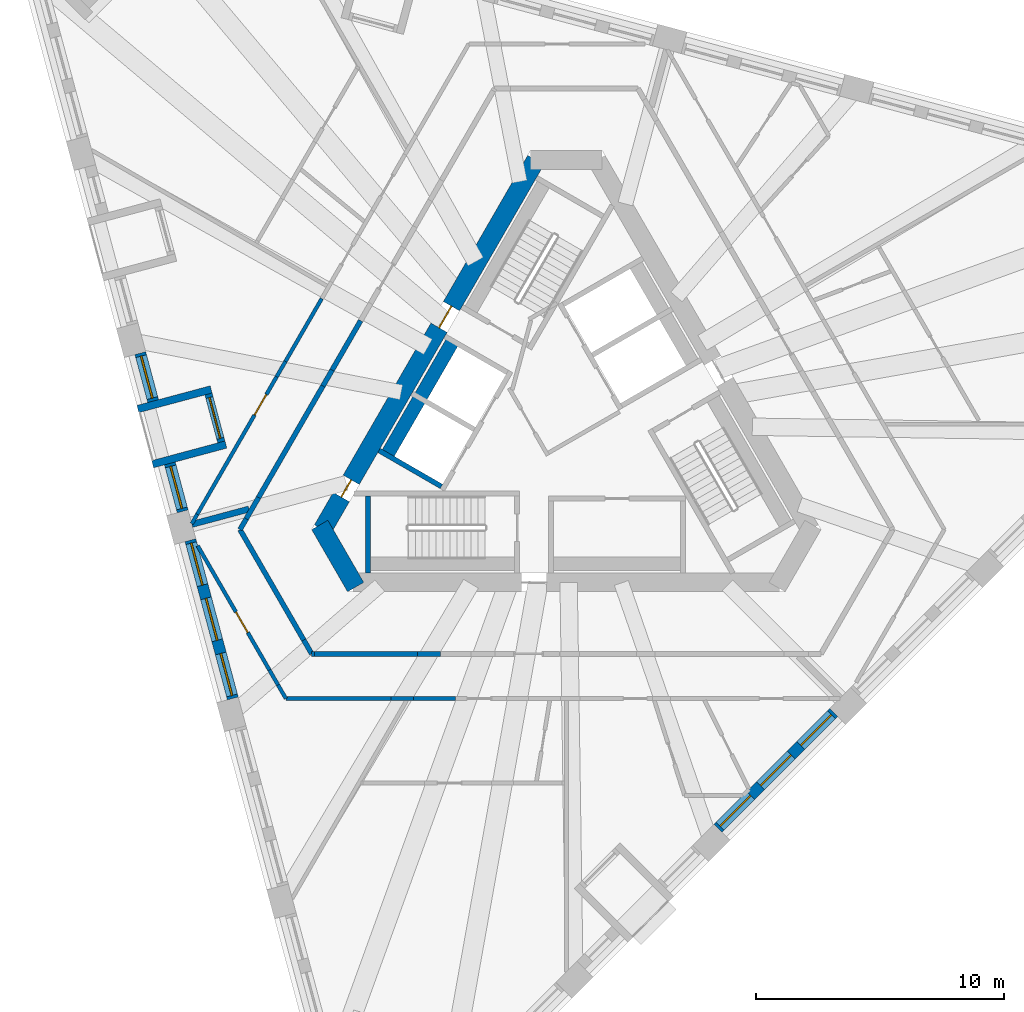
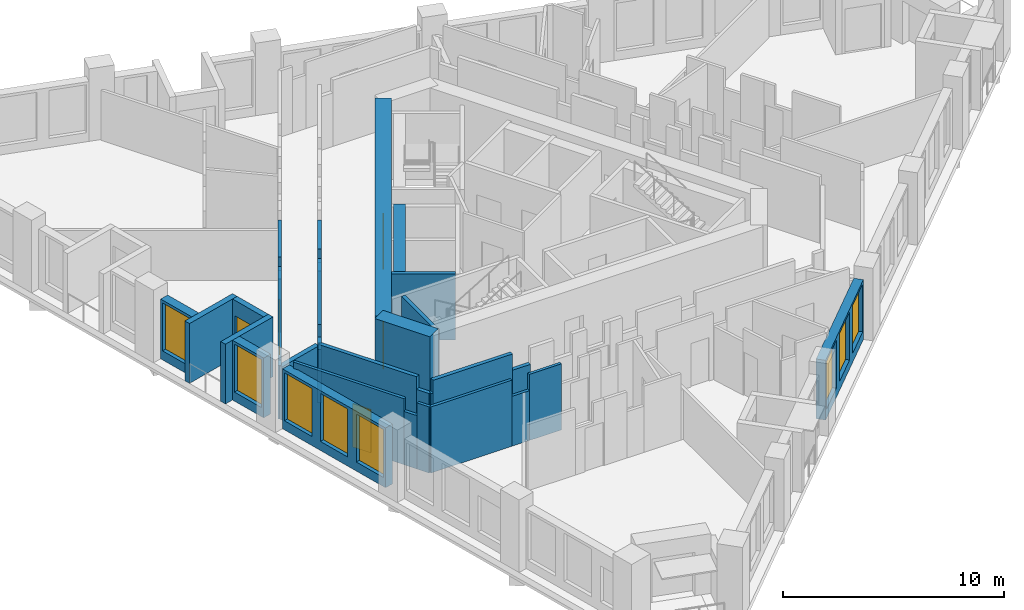
# One storey, part 3 of 13: 33 walls, 8 windows, 5 doors, 13 openings.
"""IFC4 building model written with IfcOpenShell, lengths in metres."""

from ifc_helpers import new_model, si_unit, direction, frame, frame_2d, origin, place, context, subcontext, project, spatial, rectangle, extrude, material, layer, layer_set, type_object, element, fill, save


model = new_model("IFC4")

# Units and contexts
model_context = context("Model", 3, precision=1e-05, world=origin(), true_north=direction((0.0, 1.0)))
body_context = subcontext(model_context, "Body", "Model", "MODEL_VIEW")
ifc_project = project(units=[si_unit("LENGTHUNIT", "METRE"), si_unit("AREAUNIT", "SQUARE_METRE"), si_unit("VOLUMEUNIT", "CUBIC_METRE"), si_unit("PLANEANGLEUNIT", "RADIAN"), si_unit("MASSUNIT", "GRAM", prefix="KILO")], contexts=[model_context])

# Site, building, storey
site_placement = place(None, origin())
site = spatial("IfcSite", under=ifc_project, at=site_placement, CompositionType="ELEMENT")
building_placement = place(site_placement, origin())
building = spatial("IfcBuilding", under=site, at=building_placement, Name="Tramontana Tower", CompositionType="ELEMENT")
storey_placement = place(building_placement, frame((0.0, 0.0, 204.0)))
storey = spatial("IfcBuildingStorey", under=building, at=storey_placement, Name="L47", CompositionType="ELEMENT", Elevation=204.0)

# Wall, openings, doors
ifc_material_1 = material(Name="Concrete 70 MPa", Category="concrete")
ifc_layer_1 = layer(ifc_material_1, 0.75)
ifc_layer_set_1 = layer_set([ifc_layer_1], Name="Core wall 750 70 MPa")
wall_type_1 = type_object("IfcWallType", Name="Core wall 750 70 MPa", PredefinedType="SHEAR", material=ifc_layer_set_1)
wall_1_placement = place(storey_placement, frame((-1.226806640625, 10.625, 0.0), z_axis=(0.0, 0.0, 1.0), x_axis=(-0.500002161919, -0.866024155596, 0.0)))
wall_1 = element("IfcWall", 1, at=wall_1_placement, inside=storey, type_object=wall_type_1, Name="Core wall C1 L47", PredefinedType="SHEAR", context=body_context, shape_type="SweptSolid", body=[
    extrude(rectangle(XDim=17.17626953125, YDim=0.75, at=frame_2d((8.588134765625, 0.0))), origin(), (0.0, 0.0, 1.0), 4.0),
])
opening_1_placement = place(wall_1_placement, frame((6.79296875, 0.0, 0.0)))
opening_1 = element("IfcOpeningElement", 2, at=opening_1_placement, cuts=wall_1, Name="Opening RG1", PredefinedType="OPENING", context=body_context, shape_type="SweptSolid", body=[
    extrude(rectangle(XDim=1.0, YDim=2.39990234375, at=frame_2d((0.5, 1.199951171875))), frame((0.0, 0.385009765625, 0.0), z_axis=(0.0, -1.0, 0.0), x_axis=(1.0, 0.0, 0.0)), (0.0, 0.0, 1.0), 0.77001953125),
])
opening_2_placement = place(wall_1_placement, frame((14.863525390625, 0.0, 0.0)))
opening_2 = element("IfcOpeningElement", 3, at=opening_2_placement, cuts=wall_1, Name="Opening PD1", PredefinedType="OPENING", context=body_context, shape_type="SweptSolid", body=[
    extrude(rectangle(XDim=0.800048828125, YDim=2.10009765625, at=frame_2d((0.39990234375, 1.050048828125))), frame((0.0, 0.385009765625, 0.0), z_axis=(0.0, -1.0, 0.0), x_axis=(1.0, 0.0, 0.0)), (0.0, 0.0, 1.0), 0.77001953125),
])
ifc_material_2 = material(Name="Painted steel", Category="steel")
door_type_1 = type_object("IfcDoorType", Name="CUPBOARD DOOR 800", OperationType="SINGLE_SWING_LEFT", PredefinedType="DOOR", material=ifc_material_2)
door_1_placement = place(opening_2_placement, origin())
door_1 = element("IfcDoor", 4, at=door_1_placement, inside=storey, type_object=door_type_1, Name="Door PD1", OperationType="SINGLE_SWING_RIGHT", OverallHeight=2.10009765625, OverallWidth=0.800048828125, PredefinedType="DOOR", context=body_context, shape_type="SweptSolid", body=[
    extrude(rectangle(XDim=0.800048828125, YDim=2.10009765625, at=frame_2d((0.39990234375, 1.050048828125))), frame((0.0, 0.02490234375, 0.0), z_axis=(0.0, -1.0, 0.0), x_axis=(1.0, 0.0, 0.0)), (0.0, 0.0, 1.0), 0.050048828125),
])
fill(opening_2, door_1)
ifc_material_3 = material(Name="Painted steel", Category="steel")
door_type_2 = type_object("IfcDoorType", Name="RING DOOR 1000", OperationType="SINGLE_SWING_LEFT", PredefinedType="DOOR", material=ifc_material_3)
door_2_placement = place(opening_1_placement, origin())
door_2 = element("IfcDoor", 5, at=door_2_placement, inside=storey, type_object=door_type_2, Name="Door RG1", OperationType="SINGLE_SWING_LEFT", OverallHeight=2.39990234375, OverallWidth=1.0, PredefinedType="DOOR", context=body_context, shape_type="SweptSolid", body=[
    extrude(rectangle(XDim=1.0, YDim=2.39990234375, at=frame_2d((0.5, 1.199951171875))), frame((0.0, 0.02490234375, 0.0), z_axis=(0.0, -1.0, 0.0), x_axis=(1.0, 0.0, 0.0)), (0.0, 0.0, 1.0), 0.050048828125),
])
fill(opening_1, door_2)

# Walls
wall_2_placement = place(storey_placement, frame((-9.923095703125, -4.0625, 0.0), z_axis=(0.0, 0.0, 1.0), x_axis=(0.499995765644, -0.866027848477, 0.0)))
element("IfcWall", 6, at=wall_2_placement, inside=storey, type_object=wall_type_1, Name="Core wall C2 L47", PredefinedType="SHEAR", context=body_context, shape_type="SweptSolid", body=[
    extrude(rectangle(XDim=2.88671875, YDim=0.75, at=frame_2d((1.443359375, 0.0))), origin(), (0.0, 0.0, 1.0), 4.0),
])
ifc_material_4 = material(Name="Blockwork", Category="masonry")
ifc_layer_2 = layer(ifc_material_4, 0.199951171875)
ifc_layer_set_2 = layer_set([ifc_layer_2], Name="ENTRY WALL 200")
wall_type_2 = type_object("IfcWallType", Name="ENTRY WALL 200", PredefinedType="SOLIDWALL", material=ifc_layer_set_2)
wall_3_placement = place(storey_placement, frame((-5.05615234375, -9.25, 0.0), z_axis=(0.0, 0.0, 1.0), x_axis=(-1.0, 0.0, 0.0)))
element("IfcWall", 7, at=wall_3_placement, inside=storey, type_object=wall_type_2, Name="Wall v50-ew2-11", PredefinedType="SOLIDWALL", context=body_context, shape_type="SweptSolid", body=[
    extrude(rectangle(XDim=0.931640625, YDim=0.199951171875, at=frame_2d((0.4658203125, 0.0))), origin(), (0.0, 0.0, 1.0), 2.75),
])
wall_4_placement = place(storey_placement, frame((-5.98779296875, -9.25, 0.0), z_axis=(0.0, 0.0, 1.0), x_axis=(-1.0, 0.0, 0.0)))
element("IfcWall", 8, at=wall_4_placement, inside=storey, type_object=wall_type_2, Name="Wall v50-ew2-12", PredefinedType="SOLIDWALL", context=body_context, shape_type="SweptSolid", body=[
    extrude(rectangle(XDim=4.1552734375, YDim=0.199951171875, at=frame_2d((2.07763671875, 0.0))), origin(), (0.0, 0.0, 1.0), 3.64990234375),
])
wall_5_placement = place(storey_placement, frame((-10.14306640625, -9.25, 0.0), z_axis=(0.0, 0.0, 1.0), x_axis=(-1.0, 0.0, 0.0)))
element("IfcWall", 9, at=wall_5_placement, inside=storey, type_object=wall_type_2, Name="Wall v50-ew2-13", PredefinedType="SOLIDWALL", context=body_context, shape_type="SweptSolid", body=[
    extrude(rectangle(XDim=0.10498046875, YDim=0.199951171875, at=frame_2d((0.052490234375, 0.0))), origin(), (0.0, 0.0, 1.0), 2.949951171875),
])
wall_6_placement = place(storey_placement, frame((-10.248046875, -9.25, 0.0), z_axis=(0.0, 0.0, 1.0), x_axis=(-0.499733411443, 0.86617926406, 0.0)))
element("IfcWall", 10, at=wall_6_placement, inside=storey, type_object=wall_type_2, Name="Wall v50-ew3-0", PredefinedType="SOLIDWALL", context=body_context, shape_type="SweptSolid", body=[
    extrude(rectangle(XDim=0.642822265625, YDim=0.199951171875, at=frame_2d((0.3212890625, 0.0))), origin(), (0.0, 0.0, 1.0), 2.949951171875),
])
wall_7_placement = place(storey_placement, frame((-10.5693359375, -8.693115234375, 0.0), z_axis=(0.0, 0.0, 1.0), x_axis=(-0.500028638513, 0.8660088687, 0.0)))
element("IfcWall", 11, at=wall_7_placement, inside=storey, type_object=wall_type_2, Name="Wall v50-ew3-1", PredefinedType="SOLIDWALL", context=body_context, shape_type="SweptSolid", body=[
    extrude(rectangle(XDim=5.130615234375, YDim=0.199951171875, at=frame_2d((2.5654296875, 0.0))), origin(), (0.0, 0.0, 1.0), 3.64990234375),
])
wall_8_placement = place(storey_placement, frame((-13.134765625, -4.25, 0.0), z_axis=(0.0, 0.0, 1.0), x_axis=(0.500002592159, 0.866023907196, 0.0)))
element("IfcWall", 12, at=wall_8_placement, inside=storey, type_object=wall_type_2, Name="Wall v50-ew4-0", PredefinedType="SOLIDWALL", context=body_context, shape_type="SweptSolid", body=[
    extrude(rectangle(XDim=0.5029296875, YDim=0.199951171875, at=frame_2d((0.25146484375, 0.0))), origin(), (0.0, 0.0, 1.0), 3.64990234375),
])
wall_9_placement = place(storey_placement, frame((-12.88330078125, -3.814453125, 0.0), z_axis=(0.0, 0.0, 1.0), x_axis=(0.500063959222, 0.865988473761, 0.0)))
element("IfcWall", 13, at=wall_9_placement, inside=storey, type_object=wall_type_2, Name="Wall v50-ew4-1", PredefinedType="SOLIDWALL", context=body_context, shape_type="SweptSolid", body=[
    extrude(rectangle(XDim=0.989990234375, YDim=0.199951171875, at=frame_2d((0.4951171875, 0.0))), origin(), (0.0, 0.0, 1.0), 2.949951171875),
])
wall_10_placement = place(storey_placement, frame((-12.38818359375, -2.95703125, 0.0), z_axis=(0.0, 0.0, 1.0), x_axis=(0.499990271856, 0.866031020258, 0.0)))
element("IfcWall", 14, at=wall_10_placement, inside=storey, type_object=wall_type_2, Name="Wall v50-ew4-2", PredefinedType="SOLIDWALL", context=body_context, shape_type="SweptSolid", body=[
    extrude(rectangle(XDim=5.181640625, YDim=0.199951171875, at=frame_2d((2.5908203125, 0.0))), origin(), (0.0, 0.0, 1.0), 3.64990234375),
])
wall_11_placement = place(storey_placement, frame((-9.79736328125, 1.530517578125, 0.0), z_axis=(0.0, 0.0, 1.0), x_axis=(0.499931655587, 0.866064858854, 0.0)))
element("IfcWall", 15, at=wall_11_placement, inside=storey, type_object=wall_type_2, Name="Wall v50-ew4-3", PredefinedType="SOLIDWALL", context=body_context, shape_type="SweptSolid", body=[
    extrude(rectangle(XDim=0.74072265625, YDim=0.199951171875, at=frame_2d((0.370361328125, 0.0))), origin(), (0.0, 0.0, 1.0), 2.949951171875),
])
wall_12_placement = place(storey_placement, frame((-9.427001953125, 2.172119140625, 0.0), z_axis=(0.0, 0.0, 1.0), x_axis=(0.500013761451, 0.866017458461, 0.0)))
element("IfcWall", 16, at=wall_12_placement, inside=storey, type_object=wall_type_2, Name="Wall v50-ew4-4", PredefinedType="SOLIDWALL", context=body_context, shape_type="SweptSolid", body=[
    extrude(rectangle(XDim=2.29736328125, YDim=0.199951171875, at=frame_2d((1.148681640625, 0.0))), origin(), (0.0, 0.0, 1.0), 3.64990234375),
])

# Wall, opening, window
ifc_material_5 = material(Name="Precast concrete 60 MPa", Category="concrete")
ifc_layer_3 = layer(ifc_material_5, 0.449951171875)
ifc_layer_set_3 = layer_set([ifc_layer_3], Name="Precast concrete 60 MPa, 450 mm")
wall_type_3 = type_object("IfcWallType", Name="EW1 Stone-faced precast wall 450", PredefinedType="SOLIDWALL", material=ifc_layer_set_3)
wall_13_placement = place(storey_placement, frame((-17.147705078125, 2.853271484375, 0.0), z_axis=(0.0, 0.0, 1.0), x_axis=(0.258803270362, -0.96593005298, 0.0)))
wall_13 = element("IfcWall", 17, at=wall_13_placement, inside=storey, type_object=wall_type_3, Name="External wall L47 face 0 bay 3", PredefinedType="SOLIDWALL", context=body_context, shape_type="SweptSolid", body=[
    extrude(rectangle(XDim=1.998046875, YDim=0.449951171875, at=frame_2d((0.9990234375, 0.0))), origin(), (0.0, 0.0, 1.0), 3.300048828125),
])
opening_3_placement = place(wall_13_placement, frame((0.1240234375, 0.0, 0.5)))
opening_3 = element("IfcOpeningElement", 18, at=opening_3_placement, cuts=wall_13, Name="Opening M2", PredefinedType="OPENING", context=body_context, shape_type="SweptSolid", body=[
    extrude(rectangle(XDim=1.75, YDim=2.64990234375, at=frame_2d((0.875, 1.324951171875))), frame((0.0, 0.23486328125, 0.0), z_axis=(0.0, -1.0, 0.0), x_axis=(1.0, 0.0, 0.0)), (0.0, 0.0, 1.0), 0.469970703125),
])
ifc_material_6 = material(Name="Aluminum frame, double glazing unit", Category="aluminium")
window_type = type_object("IfcWindowType", Name="M2 Window 1.75 x 2.65", PartitioningType="SINGLE_PANEL", PredefinedType="WINDOW", material=ifc_material_6)
window_1_placement = place(opening_3_placement, origin())
window_1 = element("IfcWindow", 19, at=window_1_placement, inside=storey, type_object=window_type, Name="Window M2 L47 face 0 module 7", OverallHeight=2.64990234375, OverallWidth=1.75, PartitioningType="SINGLE_PANEL", PredefinedType="WINDOW", context=body_context, shape_type="SweptSolid", body=[
    extrude(rectangle(XDim=1.75, YDim=2.64990234375, at=frame_2d((0.875, 1.324951171875))), frame((0.0, 0.030029296875, 0.0), z_axis=(0.0, -1.0, 0.0), x_axis=(1.0, 0.0, 0.0)), (0.0, 0.0, 1.0), 0.06005859375),
])
fill(opening_3, window_1)

wall_14_placement = place(storey_placement, frame((-15.958251953125, -1.586181640625, 0.0), z_axis=(0.0, 0.0, 1.0), x_axis=(0.258772727493, -0.965938235865, 0.0)))
wall_14 = element("IfcWall", 20, at=wall_14_placement, inside=storey, type_object=wall_type_3, Name="External wall L47 face 0 bay 3", PredefinedType="SOLIDWALL", context=body_context, shape_type="SweptSolid", body=[
    extrude(rectangle(XDim=1.998291015625, YDim=0.449951171875, at=frame_2d((0.9990234375, 0.0))), origin(), (0.0, 0.0, 1.0), 3.300048828125),
])
opening_4_placement = place(wall_14_placement, frame((0.1240234375, 0.0, 0.5)))
opening_4 = element("IfcOpeningElement", 21, at=opening_4_placement, cuts=wall_14, Name="Opening M2", PredefinedType="OPENING", context=body_context, shape_type="SweptSolid", body=[
    extrude(rectangle(XDim=1.75, YDim=2.64990234375, at=frame_2d((0.875, 1.324951171875))), frame((0.0, 0.23486328125, 0.0), z_axis=(0.0, -1.0, 0.0), x_axis=(1.0, 0.0, 0.0)), (0.0, 0.0, 1.0), 0.469970703125),
])
window_2_placement = place(opening_4_placement, origin())
window_2 = element("IfcWindow", 22, at=window_2_placement, inside=storey, type_object=window_type, Name="Window M2 L47 face 0 module 9", OverallHeight=2.64990234375, OverallWidth=1.75, PartitioningType="SINGLE_PANEL", PredefinedType="WINDOW", context=body_context, shape_type="SweptSolid", body=[
    extrude(rectangle(XDim=1.75, YDim=2.64990234375, at=frame_2d((0.875, 1.324951171875))), frame((0.0, 0.030029296875, 0.0), z_axis=(0.0, -1.0, 0.0), x_axis=(1.0, 0.0, 0.0)), (0.0, 0.0, 1.0), 0.06005859375),
])
fill(opening_4, window_2)

# Wall, openings, windows
wall_15_placement = place(storey_placement, frame((-15.13037109375, -4.67529296875, 0.0), z_axis=(0.0, 0.0, 1.0), x_axis=(0.258791602952, -0.965933178973, 0.0)))
wall_15 = element("IfcWall", 23, at=wall_15_placement, inside=storey, type_object=wall_type_3, Name="External wall L47 face 0 bay 4", PredefinedType="SOLIDWALL", context=body_context, shape_type="SweptSolid", body=[
    extrude(rectangle(XDim=6.59423828125, YDim=0.449951171875, at=frame_2d((3.297119140625, 0.0))), origin(), (0.0, 0.0, 1.0), 3.300048828125),
])
opening_5_placement = place(wall_15_placement, frame((0.1240234375, 0.0, 0.5)))
opening_5 = element("IfcOpeningElement", 24, at=opening_5_placement, cuts=wall_15, Name="Opening M2", PredefinedType="OPENING", context=body_context, shape_type="SweptSolid", body=[
    extrude(rectangle(XDim=1.75, YDim=2.64990234375, at=frame_2d((0.875, 1.324951171875))), frame((0.0, 0.23486328125, 0.0), z_axis=(0.0, -1.0, 0.0), x_axis=(1.0, 0.0, 0.0)), (0.0, 0.0, 1.0), 0.469970703125),
])
opening_6_placement = place(wall_15_placement, frame((2.422119140625, 0.0, 0.5)))
opening_6 = element("IfcOpeningElement", 25, at=opening_6_placement, cuts=wall_15, Name="Opening M2", PredefinedType="OPENING", context=body_context, shape_type="SweptSolid", body=[
    extrude(rectangle(XDim=1.75, YDim=2.64990234375, at=frame_2d((0.875, 1.324951171875))), frame((0.0, 0.23486328125, 0.0), z_axis=(0.0, -1.0, 0.0), x_axis=(1.0, 0.0, 0.0)), (0.0, 0.0, 1.0), 0.469970703125),
])
opening_7_placement = place(wall_15_placement, frame((4.72021484375, 0.0, 0.5)))
opening_7 = element("IfcOpeningElement", 26, at=opening_7_placement, cuts=wall_15, Name="Opening M2", PredefinedType="OPENING", context=body_context, shape_type="SweptSolid", body=[
    extrude(rectangle(XDim=1.75, YDim=2.64990234375, at=frame_2d((0.875, 1.324951171875))), frame((0.0, 0.23486328125, 0.0), z_axis=(0.0, -1.0, 0.0), x_axis=(1.0, 0.0, 0.0)), (0.0, 0.0, 1.0), 0.469970703125),
])
window_3_placement = place(opening_5_placement, origin())
window_3 = element("IfcWindow", 27, at=window_3_placement, inside=storey, type_object=window_type, Name="Window M2 L47 face 0 module 10", OverallHeight=2.64990234375, OverallWidth=1.75, PartitioningType="SINGLE_PANEL", PredefinedType="WINDOW", context=body_context, shape_type="SweptSolid", body=[
    extrude(rectangle(XDim=1.75, YDim=2.64990234375, at=frame_2d((0.875, 1.324951171875))), frame((0.0, 0.030029296875, 0.0), z_axis=(0.0, -1.0, 0.0), x_axis=(1.0, 0.0, 0.0)), (0.0, 0.0, 1.0), 0.06005859375),
])
fill(opening_5, window_3)
window_4_placement = place(opening_6_placement, origin())
window_4 = element("IfcWindow", 28, at=window_4_placement, inside=storey, type_object=window_type, Name="Window M2 L47 face 0 module 11", OverallHeight=2.64990234375, OverallWidth=1.75, PartitioningType="SINGLE_PANEL", PredefinedType="WINDOW", context=body_context, shape_type="SweptSolid", body=[
    extrude(rectangle(XDim=1.75, YDim=2.64990234375, at=frame_2d((0.875, 1.324951171875))), frame((0.0, 0.030029296875, 0.0), z_axis=(0.0, -1.0, 0.0), x_axis=(1.0, 0.0, 0.0)), (0.0, 0.0, 1.0), 0.06005859375),
])
fill(opening_6, window_4)
window_5_placement = place(opening_7_placement, origin())
window_5 = element("IfcWindow", 29, at=window_5_placement, inside=storey, type_object=window_type, Name="Window M2 L47 face 0 module 12", OverallHeight=2.64990234375, OverallWidth=1.75, PartitioningType="SINGLE_PANEL", PredefinedType="WINDOW", context=body_context, shape_type="SweptSolid", body=[
    extrude(rectangle(XDim=1.75, YDim=2.64990234375, at=frame_2d((0.875, 1.324951171875))), frame((0.0, 0.030029296875, 0.0), z_axis=(0.0, -1.0, 0.0), x_axis=(1.0, 0.0, 0.0)), (0.0, 0.0, 1.0), 0.06005859375),
])
fill(opening_7, window_5)

wall_16_placement = place(storey_placement, frame((6.102783203125, -16.277099609375, 0.0), z_axis=(0.0, 0.0, 1.0), x_axis=(0.707106781187, 0.707106781187, 0.0)))
wall_16 = element("IfcWall", 30, at=wall_16_placement, inside=storey, type_object=wall_type_3, Name="External wall L47 face 1 bay 3", PredefinedType="SOLIDWALL", context=body_context, shape_type="SweptSolid", body=[
    extrude(rectangle(XDim=6.59423828125, YDim=0.449951171875, at=frame_2d((3.297119140625, 0.0))), origin(), (0.0, 0.0, 1.0), 3.300048828125),
])
opening_8_placement = place(wall_16_placement, frame((0.1240234375, 0.0, 0.5)))
opening_8 = element("IfcOpeningElement", 31, at=opening_8_placement, cuts=wall_16, Name="Opening M2", PredefinedType="OPENING", context=body_context, shape_type="SweptSolid", body=[
    extrude(rectangle(XDim=1.75, YDim=2.64990234375, at=frame_2d((0.875, 1.324951171875))), frame((0.0, 0.23486328125, 0.0), z_axis=(0.0, -1.0, 0.0), x_axis=(1.0, 0.0, 0.0)), (0.0, 0.0, 1.0), 0.469970703125),
])
opening_9_placement = place(wall_16_placement, frame((2.422119140625, 0.0, 0.5)))
opening_9 = element("IfcOpeningElement", 32, at=opening_9_placement, cuts=wall_16, Name="Opening M2", PredefinedType="OPENING", context=body_context, shape_type="SweptSolid", body=[
    extrude(rectangle(XDim=1.75, YDim=2.64990234375, at=frame_2d((0.875, 1.324951171875))), frame((0.0, 0.23486328125, 0.0), z_axis=(0.0, -1.0, 0.0), x_axis=(1.0, 0.0, 0.0)), (0.0, 0.0, 1.0), 0.469970703125),
])
opening_10_placement = place(wall_16_placement, frame((4.72021484375, 0.0, 0.5)))
opening_10 = element("IfcOpeningElement", 33, at=opening_10_placement, cuts=wall_16, Name="Opening M2", PredefinedType="OPENING", context=body_context, shape_type="SweptSolid", body=[
    extrude(rectangle(XDim=1.75, YDim=2.64990234375, at=frame_2d((0.875, 1.324951171875))), frame((0.0, 0.23486328125, 0.0), z_axis=(0.0, -1.0, 0.0), x_axis=(1.0, 0.0, 0.0)), (0.0, 0.0, 1.0), 0.469970703125),
])
window_6_placement = place(opening_8_placement, origin())
window_6 = element("IfcWindow", 34, at=window_6_placement, inside=storey, type_object=window_type, Name="Window M2 L47 face 1 module 7", OverallHeight=2.64990234375, OverallWidth=1.75, PartitioningType="SINGLE_PANEL", PredefinedType="WINDOW", context=body_context, shape_type="SweptSolid", body=[
    extrude(rectangle(XDim=1.75, YDim=2.64990234375, at=frame_2d((0.875, 1.324951171875))), frame((0.0, 0.030029296875, 0.0), z_axis=(0.0, -1.0, 0.0), x_axis=(1.0, 0.0, 0.0)), (0.0, 0.0, 1.0), 0.06005859375),
])
fill(opening_8, window_6)
window_7_placement = place(opening_9_placement, origin())
window_7 = element("IfcWindow", 35, at=window_7_placement, inside=storey, type_object=window_type, Name="Window M2 L47 face 1 module 8", OverallHeight=2.64990234375, OverallWidth=1.75, PartitioningType="SINGLE_PANEL", PredefinedType="WINDOW", context=body_context, shape_type="SweptSolid", body=[
    extrude(rectangle(XDim=1.75, YDim=2.64990234375, at=frame_2d((0.875, 1.324951171875))), frame((0.0, 0.030029296875, 0.0), z_axis=(0.0, -1.0, 0.0), x_axis=(1.0, 0.0, 0.0)), (0.0, 0.0, 1.0), 0.06005859375),
])
fill(opening_9, window_7)
window_8_placement = place(opening_10_placement, origin())
window_8 = element("IfcWindow", 36, at=window_8_placement, inside=storey, type_object=window_type, Name="Window M2 L47 face 1 module 9", OverallHeight=2.64990234375, OverallWidth=1.75, PartitioningType="SINGLE_PANEL", PredefinedType="WINDOW", context=body_context, shape_type="SweptSolid", body=[
    extrude(rectangle(XDim=1.75, YDim=2.64990234375, at=frame_2d((0.875, 1.324951171875))), frame((0.0, 0.030029296875, 0.0), z_axis=(0.0, -1.0, 0.0), x_axis=(1.0, 0.0, 0.0)), (0.0, 0.0, 1.0), 0.06005859375),
])
fill(opening_10, window_8)

# Wall, opening, door
ifc_material_7 = material(Name="Precast concrete 60 MPa", Category="concrete")
ifc_layer_4 = layer(ifc_material_7, 0.300048828125)
ifc_layer_set_4 = layer_set([ifc_layer_4], Name="LW1 Stone-faced loggia wall 300")
wall_type_4 = type_object("IfcWallType", Name="LW1 Stone-faced loggia wall 300", PredefinedType="SOLIDWALL", material=ifc_layer_set_4)
wall_17_placement = place(storey_placement, frame((-14.40380859375, 1.20947265625, 0.0), z_axis=(0.0, 0.0, 1.0), x_axis=(0.258772727493, -0.965938235865, 0.0)))
wall_17 = element("IfcWall", 37, at=wall_17_placement, inside=storey, type_object=wall_type_4, Name="Loggia wall L47 G5S0.7", PredefinedType="SOLIDWALL", context=body_context, shape_type="SweptSolid", body=[
    extrude(rectangle(XDim=1.998291015625, YDim=0.300048828125, at=frame_2d((0.9990234375, 0.0))), origin(), (0.0, 0.0, 1.0), 3.300048828125),
])
opening_11_placement = place(wall_17_placement, frame((0.14892578125, 0.0, 0.0)))
opening_11 = element("IfcOpeningElement", 38, at=opening_11_placement, cuts=wall_17, Name="Opening BD-5S0-07", PredefinedType="OPENING", context=body_context, shape_type="SweptSolid", body=[
    extrude(rectangle(XDim=1.699951171875, YDim=2.449951171875, at=frame_2d((0.85009765625, 1.22509765625))), frame((0.0, 0.159912109375, 0.0), z_axis=(0.0, -1.0, 0.0), x_axis=(1.0, 0.0, 0.0)), (0.0, 0.0, 1.0), 0.320068359375),
])
ifc_material_8 = material(Name="Aluminum frame, double glazing unit", Category="aluminium")
door_type_3 = type_object("IfcDoorType", Name="BD2 Sliding door 1.7 x 2.45", OperationType="SLIDING_TO_LEFT", PredefinedType="DOOR", material=ifc_material_8)
door_3_placement = place(opening_11_placement, origin())
door_3 = element("IfcDoor", 39, at=door_3_placement, inside=storey, type_object=door_type_3, Name="Loggia door L47 G5S0.7", OperationType="SLIDING_TO_LEFT", OverallHeight=2.449951171875, OverallWidth=1.699951171875, PredefinedType="DOOR", context=body_context, shape_type="SweptSolid", body=[
    extrude(rectangle(XDim=1.699951171875, YDim=2.449951171875, at=frame_2d((0.85009765625, 1.22509765625))), frame((0.0, 0.02490234375, 0.0), z_axis=(0.0, -1.0, 0.0), x_axis=(1.0, 0.0, 0.0)), (0.0, 0.0, 1.0), 0.050048828125),
])
fill(opening_11, door_3)

# Walls
for number, where, z_axis, x_axis, name in (
    (40, (-17.243896484375, 0.603759765625, 0.0), (0.0, 0.0, 1.0), (0.965932688119, 0.258793435045, 0.0), "Loggia return L47 G5S0.7a"),
    (41, (-16.64892578125, -1.615966796875, 0.0), (0.0, 0.0, 1.0), (0.965932688119, 0.258793435045, 0.0), "Loggia return L47 G5S0.7b"),
):
    element("IfcWall", number, at=place(storey_placement, frame(where, z_axis=z_axis, x_axis=x_axis)), inside=storey, type_object=wall_type_4, Name=name, PredefinedType="SOLIDWALL", context=body_context, shape_type="SweptSolid", body=[
        extrude(rectangle(XDim=3.050048828125, YDim=0.300048828125, at=frame_2d((1.52490234375, 0.0))), origin(), (0.0, 0.0, 1.0), 3.300048828125),
    ])
ifc_material_9 = material(Name="Gypsum board partition")
ifc_layer_5 = layer(ifc_material_9, 0.14990234375)
ifc_layer_set_5 = layer_set([ifc_layer_5], Name="PARTITION 150")
wall_type_5 = type_object("IfcWallType", Name="PARTITION 150", PredefinedType="PARTITIONING", material=ifc_layer_set_5)
wall_18_placement = place(storey_placement, frame((-15.075439453125, -4.011474609375, 0.0), z_axis=(0.0, 0.0, 1.0), x_axis=(0.500027377864, 0.86600959659, 0.0)))
element("IfcWall", 42, at=wall_18_placement, inside=storey, type_object=wall_type_5, Name="Wall v50-pw00-0", PredefinedType="PARTITIONING", context=body_context, shape_type="SweptSolid", body=[
    extrude(rectangle(XDim=0.43896484375, YDim=0.14990234375, at=frame_2d((0.219482421875, 0.0))), origin(), (0.0, 0.0, 1.0), 2.949951171875),
])

# Wall, opening, door
wall_19_placement = place(storey_placement, frame((-14.85595703125, -3.63134765625, 0.0), z_axis=(0.0, 0.0, 1.0), x_axis=(0.49999366119, 0.866029063467, 0.0)))
wall_19 = element("IfcWall", 43, at=wall_19_placement, inside=storey, type_object=wall_type_5, Name="Wall v50-pw00-1", PredefinedType="PARTITIONING", context=body_context, shape_type="SweptSolid", body=[
    extrude(rectangle(XDim=6.3896484375, YDim=0.14990234375, at=frame_2d((3.19482421875, 0.0))), origin(), (0.0, 0.0, 1.0), 3.64990234375),
])
opening_12_placement = place(wall_19_placement, frame((4.611328125, 0.0, 0.0)))
opening_12 = element("IfcOpeningElement", 44, at=opening_12_placement, cuts=wall_19, Name="Opening B5A-04", PredefinedType="OPENING", context=body_context, shape_type="SweptSolid", body=[
    extrude(rectangle(XDim=0.949951171875, YDim=2.39990234375, at=frame_2d((0.47509765625, 1.199951171875))), frame((0.0, 0.0849609375, 0.0), z_axis=(0.0, -1.0, 0.0), x_axis=(1.0, 0.0, 0.0)), (0.0, 0.0, 1.0), 0.169921875),
])
ifc_material_10 = material(Name="Painted timber", Category="wood")
door_type_4 = type_object("IfcDoorType", Name="DOOR ROOM 950", OperationType="SINGLE_SWING_LEFT", PredefinedType="DOOR", material=ifc_material_10)
door_4_placement = place(opening_12_placement, origin())
door_4 = element("IfcDoor", 45, at=door_4_placement, inside=storey, type_object=door_type_4, Name="Door B5A-04", OperationType="SINGLE_SWING_RIGHT", OverallHeight=2.39990234375, OverallWidth=0.949951171875, PredefinedType="DOOR", context=body_context, shape_type="SweptSolid", body=[
    extrude(rectangle(XDim=0.949951171875, YDim=2.39990234375, at=frame_2d((0.47509765625, 1.199951171875))), frame((0.0, 0.02490234375, 0.0), z_axis=(0.0, -1.0, 0.0), x_axis=(1.0, 0.0, 0.0)), (0.0, 0.0, 1.0), 0.050048828125),
])
fill(opening_12, door_4)

# Walls
wall_20_placement = place(storey_placement, frame((-11.6611328125, 1.90234375, 0.0), z_axis=(0.0, 0.0, 1.0), x_axis=(0.499998569178, 0.866026229868, 0.0)))
element("IfcWall", 46, at=wall_20_placement, inside=storey, type_object=wall_type_5, Name="Wall v50-pw00-2", PredefinedType="PARTITIONING", context=body_context, shape_type="SweptSolid", body=[
    extrude(rectangle(XDim=0.71435546875, YDim=0.14990234375, at=frame_2d((0.357177734375, 0.0))), origin(), (0.0, 0.0, 1.0), 2.949951171875),
])
wall_21_placement = place(storey_placement, frame((-11.303955078125, 2.52099609375, 0.0), z_axis=(0.0, 0.0, 1.0), x_axis=(0.49998782916, 0.866032430508, 0.0)))
element("IfcWall", 47, at=wall_21_placement, inside=storey, type_object=wall_type_5, Name="Wall v50-pw00-3", PredefinedType="PARTITIONING", context=body_context, shape_type="SweptSolid", body=[
    extrude(rectangle(XDim=2.919921875, YDim=0.14990234375, at=frame_2d((1.4599609375, 0.0))), origin(), (0.0, 0.0, 1.0), 3.64990234375),
])
wall_22_placement = place(storey_placement, frame((-11.287109375, -11.050048828125, 0.0), z_axis=(0.0, 0.0, 1.0), x_axis=(-0.500187988959, 0.865916841101, 0.0)))
element("IfcWall", 48, at=wall_22_placement, inside=storey, type_object=wall_type_5, Name="Wall v50-pw03-0", PredefinedType="PARTITIONING", context=body_context, shape_type="SweptSolid", body=[
    extrude(rectangle(XDim=0.635498046875, YDim=0.14990234375, at=frame_2d((0.31787109375, 0.0))), origin(), (0.0, 0.0, 1.0), 3.64990234375),
])
wall_23_placement = place(storey_placement, frame((-11.60498046875, -10.499755859375, 0.0), z_axis=(0.0, 0.0, 1.0), x_axis=(-0.499845467243, 0.866114604932, 0.0)))
element("IfcWall", 49, at=wall_23_placement, inside=storey, type_object=wall_type_5, Name="Wall v50-pw03-1", PredefinedType="PARTITIONING", context=body_context, shape_type="SweptSolid", body=[
    extrude(rectangle(XDim=0.687255859375, YDim=0.14990234375, at=frame_2d((0.34375, 0.0))), origin(), (0.0, 0.0, 1.0), 2.949951171875),
])

# Wall, opening, door
wall_24_placement = place(storey_placement, frame((-11.948486328125, -9.904541015625, 0.0), z_axis=(0.0, 0.0, 1.0), x_axis=(-0.500016344183, 0.86601596726, 0.0)))
wall_24 = element("IfcWall", 50, at=wall_24_placement, inside=storey, type_object=wall_type_5, Name="Wall v50-pw03-2", PredefinedType="PARTITIONING", context=body_context, shape_type="SweptSolid", body=[
    extrude(rectangle(XDim=5.776611328125, YDim=0.14990234375, at=frame_2d((2.88818359375, 0.0))), origin(), (0.0, 0.0, 1.0), 3.64990234375),
])
opening_13_placement = place(wall_24_placement, frame((1.751953125, 0.0, 0.0)))
opening_13 = element("IfcOpeningElement", 51, at=opening_13_placement, cuts=wall_24, Name="Opening B5A-06", PredefinedType="OPENING", context=body_context, shape_type="SweptSolid", body=[
    extrude(rectangle(XDim=0.949951171875, YDim=2.39990234375, at=frame_2d((0.47509765625, 1.199951171875))), frame((0.0, 0.0849609375, 0.0), z_axis=(0.0, -1.0, 0.0), x_axis=(1.0, 0.0, 0.0)), (0.0, 0.0, 1.0), 0.169921875),
])
door_5_placement = place(opening_13_placement, origin())
door_5 = element("IfcDoor", 52, at=door_5_placement, inside=storey, type_object=door_type_4, Name="Door B5A-06", OperationType="SINGLE_SWING_RIGHT", OverallHeight=2.39990234375, OverallWidth=0.949951171875, PredefinedType="DOOR", context=body_context, shape_type="SweptSolid", body=[
    extrude(rectangle(XDim=0.949951171875, YDim=2.39990234375, at=frame_2d((0.47509765625, 1.199951171875))), frame((0.0, 0.02490234375, 0.0), z_axis=(0.0, -1.0, 0.0), x_axis=(1.0, 0.0, 0.0)), (0.0, 0.0, 1.0), 0.050048828125),
])
fill(opening_13, door_5)

# Walls
wall_25_placement = place(storey_placement, frame((-4.4677734375, -11.050048828125, 0.0), z_axis=(0.0, 0.0, 1.0), x_axis=(-1.0, 0.0, 0.0)))
element("IfcWall", 53, at=wall_25_placement, inside=storey, type_object=wall_type_5, Name="Wall v50-pw24-9", PredefinedType="PARTITIONING", context=body_context, shape_type="SweptSolid", body=[
    extrude(rectangle(XDim=1.677490234375, YDim=0.14990234375, at=frame_2d((0.8388671875, 0.0))), origin(), (0.0, 0.0, 1.0), 3.64990234375),
])
wall_26_placement = place(storey_placement, frame((-6.145263671875, -11.050048828125, 0.0), z_axis=(0.0, 0.0, 1.0), x_axis=(-1.0, 0.0, 0.0)))
element("IfcWall", 54, at=wall_26_placement, inside=storey, type_object=wall_type_5, Name="Wall v50-pw24-10", PredefinedType="PARTITIONING", context=body_context, shape_type="SweptSolid", body=[
    extrude(rectangle(XDim=0.902587890625, YDim=0.14990234375, at=frame_2d((0.451171875, 0.0))), origin(), (0.0, 0.0, 1.0), 2.75),
])
wall_27_placement = place(storey_placement, frame((-7.0478515625, -11.050048828125, 0.0), z_axis=(0.0, 0.0, 1.0), x_axis=(-1.0, 0.0, 0.0)))
element("IfcWall", 55, at=wall_27_placement, inside=storey, type_object=wall_type_5, Name="Wall v50-pw24-11", PredefinedType="PARTITIONING", context=body_context, shape_type="SweptSolid", body=[
    extrude(rectangle(XDim=4.2392578125, YDim=0.14990234375, at=frame_2d((2.11962890625, 0.0))), origin(), (0.0, 0.0, 1.0), 3.64990234375),
])
ifc_material_11 = material(Name="Blockwork", Category="masonry")
ifc_layer_6 = layer(ifc_material_11, 0.25)
ifc_layer_set_6 = layer_set([ifc_layer_6], Name="PARTY WALL 250")
wall_type_6 = type_object("IfcWallType", Name="PARTY WALL 250", PredefinedType="SOLIDWALL", material=ifc_layer_set_6)
wall_28_placement = place(storey_placement, frame((-12.7724609375, -3.42236328125, 0.0), z_axis=(0.0, 0.0, 1.0), x_axis=(-0.965920541607, -0.258838766998, 0.0)))
element("IfcWall", 56, at=wall_28_placement, inside=storey, type_object=wall_type_6, Name="Wall v50-pw01-0", PredefinedType="SOLIDWALL", context=body_context, shape_type="SweptSolid", body=[
    extrude(rectangle(XDim=2.376953125, YDim=0.25, at=frame_2d((1.1884765625, 0.0))), origin(), (0.0, 0.0, 1.0), 2.949951171875),
])
ifc_material_12 = material(Name="Concrete 70 MPa", Category="concrete")
ifc_layer_7 = layer(ifc_material_12, 0.550048828125)
ifc_layer_set_7 = layer_set([ifc_layer_7], Name="Concrete 70 MPa, 550 mm")
wall_type_7 = type_object("IfcWallType", Name="RC SHAFT BACK WALL 550", PredefinedType="SOLIDWALL", material=ifc_layer_set_7)
wall_29_placement = place(storey_placement, frame((-4.516357421875, 3.427490234375, 0.0), z_axis=(0.0, 0.0, 1.0), x_axis=(-0.499996545922, -0.866027397988, 0.0)))
element("IfcWall", 57, at=wall_29_placement, inside=storey, type_object=wall_type_7, Name="Wall row0-back", PredefinedType="SOLIDWALL", context=body_context, shape_type="SweptSolid", body=[
    extrude(rectangle(XDim=5.5, YDim=0.550048828125, at=frame_2d((2.75, 0.0))), origin(), (0.0, 0.0, 1.0), 3.64990234375),
])
ifc_material_13 = material(Name="Concrete 70 MPa", Category="concrete")
ifc_layer_8 = layer(ifc_material_13, 0.199951171875)
ifc_layer_set_8 = layer_set([ifc_layer_8], Name="Concrete 70 MPa, 200 mm")
wall_type_8 = type_object("IfcWallType", Name="RC STAIR AND SHAFT WALL 200", PredefinedType="SOLIDWALL", material=ifc_layer_set_8)
wall_30_placement = place(storey_placement, frame((-7.97998046875, -2.89990234375, 0.0), z_axis=(0.0, 0.0, 1.0), x_axis=(0.0, -1.0, 0.0)))
element("IfcWall", 58, at=wall_30_placement, inside=storey, type_object=wall_type_8, Name="Wall st2-far", PredefinedType="SOLIDWALL", context=body_context, shape_type="SweptSolid", body=[
    extrude(rectangle(XDim=3.10009765625, YDim=0.199951171875, at=frame_2d((1.550048828125, 0.0))), origin(), (0.0, 0.0, 1.0), 3.64990234375),
])
wall_31_placement = place(storey_placement, frame((-5.02978515625, -2.51171875, 0.0), z_axis=(0.0, 0.0, 1.0), x_axis=(-0.866032775405, 0.499987231761, 0.0)))
element("IfcWall", 59, at=wall_31_placement, inside=storey, type_object=wall_type_8, Name="Wall row0-side2", PredefinedType="SOLIDWALL", context=body_context, shape_type="SweptSolid", body=[
    extrude(rectangle(XDim=2.89990234375, YDim=0.199951171875, at=frame_2d((1.449951171875, 0.0))), origin(), (0.0, 0.0, 1.0), 3.64990234375),
])

save(model, "model.ifc")
